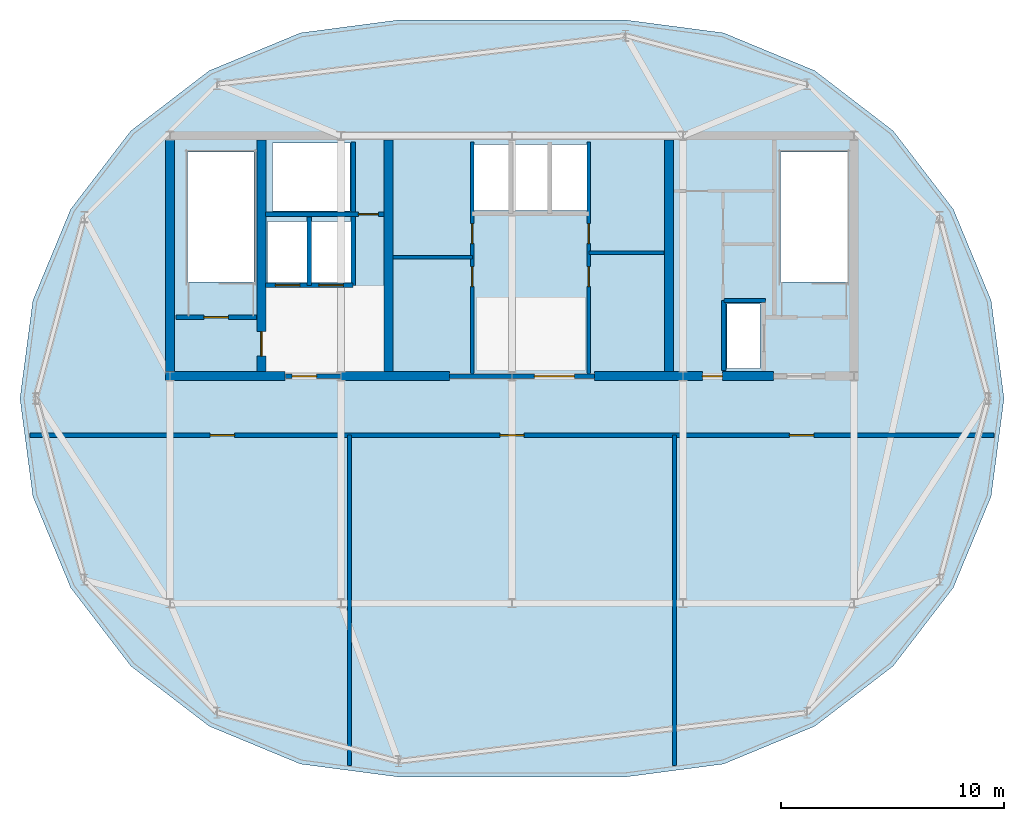
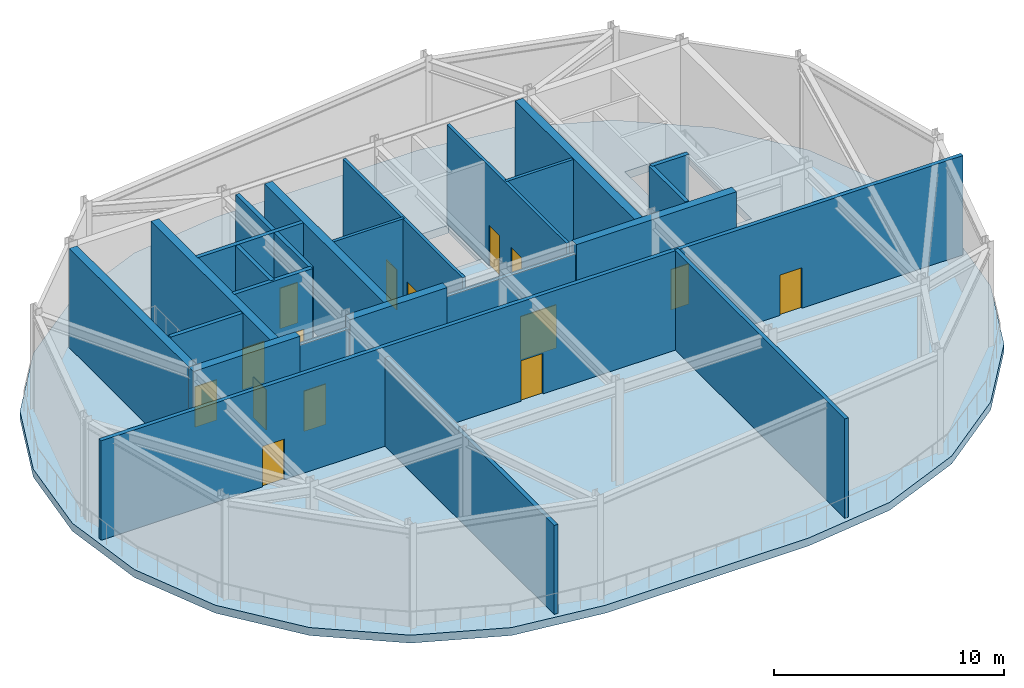
# One storey, part 2 of 5: 23 walls, 15 doors, 1 slab, 15 openings.
"""IFC4 building model written with IfcOpenShell, lengths in metres."""

from ifc_helpers import new_model, si_unit, direction, frame, frame_2d, origin, place, context, subcontext, project, spatial, polyline, rectangle, outline, extrude, material, layer, layer_set, type_object, element, fill, save


model = new_model("IFC4")

# Units and contexts
model_context = context("Model", 3, precision=1e-05, world=origin(), true_north=direction((0.0, 1.0)))
body_context = subcontext(model_context, "Body", "Model", "MODEL_VIEW")
ifc_project = project(units=[si_unit("LENGTHUNIT", "METRE"), si_unit("AREAUNIT", "SQUARE_METRE"), si_unit("VOLUMEUNIT", "CUBIC_METRE"), si_unit("PLANEANGLEUNIT", "RADIAN"), si_unit("MASSUNIT", "GRAM", prefix="KILO")], contexts=[model_context])

# Site, building, storey
site_placement = place(None, origin())
site = spatial("IfcSite", under=ifc_project, at=site_placement, CompositionType="ELEMENT")
building_placement = place(site_placement, origin())
building = spatial("IfcBuilding", under=site, at=building_placement, Name="Yelkora Congress Tower", CompositionType="ELEMENT")
storey_placement = place(building_placement, frame((0.0, 0.0, 304.39990234375)))
storey = spatial("IfcBuildingStorey", under=building, at=storey_placement, Name="L85", CompositionType="ELEMENT", Elevation=304.39990234375)

# Slab
ifc_material_1 = material(Name="Concrete C60/75", Category="concrete")
ifc_layer_1 = layer(ifc_material_1, 0.419921875)
ifc_layer_set_1 = layer_set([ifc_layer_1], Name="Concrete C60/75")
slab_type = type_object("IfcSlabType", Name="SLAB-XFER-420", PredefinedType="FLOOR", material=ifc_layer_set_1)
slab_placement = place(storey_placement, frame((0.0, 0.0, -0.419921875)))
element("IfcSlab", 1, at=slab_placement, inside=storey, type_object=slab_type, Name="L85 Structural Floor Slab", PredefinedType="FLOOR", context=body_context, shape_type="SweptSolid", body=[
    extrude(outline(polyline([(43.5, 17.39990234375), (47.89990234375, 17.979248046875), (52.0, 19.677490234375), (55.520751953125, 22.379150390625), (58.222412109375, 25.89990234375), (59.920654296875, 30.0), (60.5, 34.39990234375), (59.920654296875, 38.7998046875), (58.222412109375, 42.89990234375), (55.520751953125, 46.4208984375), (52.0, 49.122314453125), (47.89990234375, 50.82080078125), (43.5, 51.39990234375), (33.300048828125, 51.39990234375), (28.900146484375, 50.82080078125), (24.800048828125, 49.122314453125), (21.279296875, 46.4208984375), (18.57763671875, 42.89990234375), (16.87939453125, 38.7998046875), (16.300048828125, 34.39990234375), (16.87939453125, 30.0), (18.57763671875, 25.89990234375), (21.279296875, 22.379150390625), (24.800048828125, 19.677490234375), (28.900146484375, 17.979248046875), (33.300048828125, 17.39990234375), (43.5, 17.39990234375)]), holes=[polyline([(23.820068359375, 39.6298828125), (26.820068359375, 39.6298828125), (26.820068359375, 45.469970703125), (23.820068359375, 45.469970703125), (23.820068359375, 39.6298828125)]), polyline([(50.4599609375, 39.6298828125), (53.4599609375, 39.6298828125), (53.4599609375, 45.469970703125), (50.4599609375, 45.469970703125), (50.4599609375, 39.6298828125)]), polyline([(48.050048828125, 35.75), (49.550048828125, 35.75), (49.550048828125, 38.64990234375), (48.050048828125, 38.64990234375), (48.050048828125, 35.75)]), polyline([(36.64990234375, 42.85009765625), (41.800048828125, 42.85009765625), (41.800048828125, 45.800048828125), (36.64990234375, 45.800048828125), (36.64990234375, 42.85009765625)]), polyline([(27.419921875, 39.60009765625), (31.179931640625, 39.60009765625), (31.179931640625, 42.35009765625), (27.419921875, 42.35009765625), (27.419921875, 39.60009765625)]), polyline([(27.64990234375, 42.820068359375), (31.1201171875, 42.820068359375), (31.1201171875, 45.8798828125), (27.64990234375, 45.8798828125), (27.64990234375, 42.820068359375)])]), origin(), (0.0, 0.0, 1.0), 0.419921875),
])

# Walls
ifc_material_2 = material(Name="Concrete C50/60", Category="concrete")
ifc_layer_2 = layer(ifc_material_2, 0.39990234375)
ifc_layer_set_2 = layer_set([ifc_layer_2], Name="Concrete C50/60")
wall_type_1 = type_object("IfcWallType", Name="WALL-CORE-INT-400", PredefinedType="SHEAR", material=ifc_layer_set_2)
wall_1_placement = place(storey_placement, frame((22.840087890625, 35.39990234375, 0.0), z_axis=(0.0, 0.0, 1.0), x_axis=(1.0, 0.0, 0.0)))
element("IfcWall", 2, at=wall_1_placement, inside=storey, type_object=wall_type_1, Name="L85 Rear Core South-West Shear Wall", PredefinedType="SHEAR", context=body_context, shape_type="SweptSolid", body=[
    extrude(rectangle(XDim=5.35986328125, YDim=0.39990234375, at=frame_2d((2.679931640625, 0.0))), origin(), (0.0, 0.0, 1.0), 5.280029296875),
])
wall_2_placement = place(storey_placement, frame((30.719970703125, 35.39990234375, 0.0), z_axis=(0.0, 0.0, 1.0), x_axis=(1.0, 0.0, 0.0)))
element("IfcWall", 3, at=wall_2_placement, inside=storey, type_object=wall_type_1, Name="L85 Rear Core South-Center Shear Pier", PredefinedType="SHEAR", context=body_context, shape_type="SweptSolid", body=[
    extrude(rectangle(XDim=4.880126953125, YDim=0.39990234375, at=frame_2d((2.43994140625, 0.0))), origin(), (0.0, 0.0, 1.0), 5.280029296875),
])

# Wall, opening, door
wall_3_placement = place(storey_placement, frame((42.10009765625, 35.39990234375, 0.0), z_axis=(0.0, 0.0, 1.0), x_axis=(1.0, 0.0, 0.0)))
wall_3 = element("IfcWall", 4, at=wall_3_placement, inside=storey, type_object=wall_type_1, Name="L85 Rear Core South-East Shear Wall A", PredefinedType="SHEAR", context=body_context, shape_type="SweptSolid", body=[
    extrude(rectangle(XDim=8.0498046875, YDim=0.39990234375, at=frame_2d((4.02490234375, 0.0))), origin(), (0.0, 0.0, 1.0), 5.280029296875),
])
opening_1_placement = place(wall_3_placement, frame((4.85009765625, 0.0, 0.0)))
opening_1 = element("IfcOpeningElement", 5, at=opening_1_placement, cuts=wall_3, Name="Opening DR-090F6", PredefinedType="OPENING", context=body_context, shape_type="SweptSolid", body=[
    extrude(rectangle(XDim=0.89990234375, YDim=2.14990234375, at=frame_2d((0.449951171875, 1.074951171875))), frame((0.0, 0.2099609375, 0.0), z_axis=(0.0, -1.0, 0.0), x_axis=(1.0, 0.0, 0.0)), (0.0, 0.0, 1.0), 0.419921875),
])
ifc_material_3 = material(Name="Painted steel riser fire door leaf", Category="steel")
door_type_1 = type_object("IfcDoorType", Name="DOOR-FD60-900", OperationType="NOTDEFINED", PredefinedType="DOOR", material=ifc_material_3)
door_1_placement = place(opening_1_placement, origin())
door_1 = element("IfcDoor", 6, at=door_1_placement, inside=storey, type_object=door_type_1, Name="L85 Core Washroom Lobby Door", OperationType="SINGLE_SWING_RIGHT", OverallHeight=2.14990234375, OverallWidth=0.89990234375, PredefinedType="DOOR", context=body_context, shape_type="SweptSolid", body=[
    extrude(rectangle(XDim=0.89990234375, YDim=2.14990234375, at=frame_2d((0.449951171875, 1.074951171875))), frame((0.0, 0.02490234375, 0.0), z_axis=(0.0, -1.0, 0.0), x_axis=(1.0, 0.0, 0.0)), (0.0, 0.0, 1.0), 0.050048828125),
])
fill(opening_1, door_1)

# Wall
wall_4_placement = place(storey_placement, frame((23.0400390625, 35.60009765625, 0.0), z_axis=(0.0, 0.0, 1.0), x_axis=(0.0, 1.0, 0.0)))
element("IfcWall", 7, at=wall_4_placement, inside=storey, type_object=wall_type_1, Name="L85 Rear Core Cross Shear Wall W", PredefinedType="SHEAR", context=body_context, shape_type="SweptSolid", body=[
    extrude(rectangle(XDim=10.39990234375, YDim=0.39990234375, at=frame_2d((5.199951171875, 0.0))), origin(), (0.0, 0.0, 1.0), 5.280029296875),
])

# Wall, opening, door
wall_5_placement = place(storey_placement, frame((27.14990234375, 35.60009765625, 0.0), z_axis=(0.0, 0.0, 1.0), x_axis=(0.0, 1.0, 0.0)))
wall_5 = element("IfcWall", 8, at=wall_5_placement, inside=storey, type_object=wall_type_1, Name="L85 Rear Core Cross Shear Wall C1", PredefinedType="SHEAR", context=body_context, shape_type="SweptSolid", body=[
    extrude(rectangle(XDim=10.39990234375, YDim=0.39990234375, at=frame_2d((5.199951171875, 0.0))), origin(), (0.0, 0.0, 1.0), 5.280029296875),
])
opening_2_placement = place(wall_5_placement, frame((0.699951171875, 0.0, 0.0)))
opening_2 = element("IfcOpeningElement", 9, at=opening_2_placement, cuts=wall_5, Name="Opening DR-110F9", PredefinedType="OPENING", context=body_context, shape_type="SweptSolid", body=[
    extrude(rectangle(XDim=1.10009765625, YDim=2.14990234375, at=frame_2d((0.550048828125, 1.074951171875))), frame((0.0, 0.2099609375, 0.0), z_axis=(0.0, -1.0, 0.0), x_axis=(1.0, 0.0, 0.0)), (0.0, 0.0, 1.0), 0.419921875),
])
ifc_material_4 = material(Name="Galvanised steel fire door leaf", Category="steel")
door_type_2 = type_object("IfcDoorType", Name="DOOR-FD90-1100", OperationType="NOTDEFINED", PredefinedType="DOOR", material=ifc_material_4)
door_2_placement = place(opening_2_placement, origin())
door_2 = element("IfcDoor", 10, at=door_2_placement, inside=storey, type_object=door_type_2, Name="L85 Firefighting Stair Transfer Door", OperationType="SINGLE_SWING_LEFT", OverallHeight=2.14990234375, OverallWidth=1.10009765625, PredefinedType="DOOR", context=body_context, shape_type="SweptSolid", body=[
    extrude(rectangle(XDim=1.10009765625, YDim=2.14990234375, at=frame_2d((0.550048828125, 1.074951171875))), frame((0.0, 0.02490234375, 0.0), z_axis=(0.0, -1.0, 0.0), x_axis=(1.0, 0.0, 0.0)), (0.0, 0.0, 1.0), 0.050048828125),
])
fill(opening_2, door_2)

# Walls
for number, where, z_axis, x_axis, name in (
    (11, (32.85009765625, 35.60009765625, 0.0), (0.0, 0.0, 1.0), (0.0, 1.0, 0.0), "L85 Rear Core Cross Shear Wall C2"),
    (12, (45.449951171875, 35.60009765625, 0.0), (0.0, 0.0, 1.0), (0.0, 1.0, 0.0), "L85 Rear Core Cross Shear Wall C3"),
):
    element("IfcWall", number, at=place(storey_placement, frame(where, z_axis=z_axis, x_axis=x_axis)), inside=storey, type_object=wall_type_1, Name=name, PredefinedType="SHEAR", context=body_context, shape_type="SweptSolid", body=[
        extrude(rectangle(XDim=10.39990234375, YDim=0.39990234375, at=frame_2d((5.199951171875, 0.0))), origin(), (0.0, 0.0, 1.0), 5.280029296875),
    ])
ifc_material_5 = material(Name="Twin-stud fire-rated gypsum partition", Category="gypsum")
ifc_layer_3 = layer(ifc_material_5, 0.14990234375)
ifc_layer_set_3 = layer_set([ifc_layer_3], Name="Twin-stud fire-rated gypsum partition")
wall_type_2 = type_object("IfcWallType", Name="WALL-INT-150-R60", PredefinedType="PARTITIONING", material=ifc_layer_set_3)
wall_6_placement = place(storey_placement, frame((33.050048828125, 40.75, 0.0), z_axis=(0.0, 0.0, 1.0), x_axis=(1.0, 0.0, 0.0)))
element("IfcWall", 13, at=wall_6_placement, inside=storey, type_object=wall_type_2, Name="L85 Partition Wall 11", PredefinedType="PARTITIONING", context=body_context, shape_type="SweptSolid", body=[
    extrude(rectangle(XDim=3.570068359375, YDim=0.14990234375, at=frame_2d((1.78515625, 0.0))), origin(), (0.0, 0.0, 1.0), 5.280029296875),
])

# Wall, openings, doors
wall_7_placement = place(storey_placement, frame((36.6201171875, 35.5, 0.0), z_axis=(0.0, 0.0, 1.0), x_axis=(0.0, 1.0, 0.0)))
wall_7 = element("IfcWall", 14, at=wall_7_placement, inside=storey, type_object=wall_type_2, Name="L85 Partition Wall 12", PredefinedType="PARTITIONING", context=body_context, shape_type="SweptSolid", body=[
    extrude(rectangle(XDim=10.419921875, YDim=0.14990234375, at=frame_2d((5.2099609375, 0.0))), origin(), (0.0, 0.0, 1.0), 5.280029296875),
])
opening_3_placement = place(wall_7_placement, frame((3.919921875, 0.0, 0.0)))
opening_3 = element("IfcOpeningElement", 15, at=opening_3_placement, cuts=wall_7, Name="Opening DR-090F6", PredefinedType="OPENING", context=body_context, shape_type="SweptSolid", body=[
    extrude(rectangle(XDim=0.89990234375, YDim=2.14990234375, at=frame_2d((0.449951171875, 1.074951171875))), frame((0.0, 0.0849609375, 0.0), z_axis=(0.0, -1.0, 0.0), x_axis=(1.0, 0.0, 0.0)), (0.0, 0.0, 1.0), 0.169921875),
])
opening_4_placement = place(wall_7_placement, frame((5.85009765625, 0.0, 0.0)))
opening_4 = element("IfcOpeningElement", 16, at=opening_4_placement, cuts=wall_7, Name="Opening DR-090F6", PredefinedType="OPENING", context=body_context, shape_type="SweptSolid", body=[
    extrude(rectangle(XDim=0.89990234375, YDim=2.14990234375, at=frame_2d((0.449951171875, 1.074951171875))), frame((0.0, 0.0849609375, 0.0), z_axis=(0.0, -1.0, 0.0), x_axis=(1.0, 0.0, 0.0)), (0.0, 0.0, 1.0), 0.169921875),
])
door_3_placement = place(opening_3_placement, origin())
door_3 = element("IfcDoor", 17, at=door_3_placement, inside=storey, type_object=door_type_1, Name="L85 Telecom Store Door", OperationType="SINGLE_SWING_LEFT", OverallHeight=2.14990234375, OverallWidth=0.89990234375, PredefinedType="DOOR", context=body_context, shape_type="SweptSolid", body=[
    extrude(rectangle(XDim=0.89990234375, YDim=2.14990234375, at=frame_2d((0.449951171875, 1.074951171875))), frame((0.0, 0.02490234375, 0.0), z_axis=(0.0, -1.0, 0.0), x_axis=(1.0, 0.0, 0.0)), (0.0, 0.0, 1.0), 0.050048828125),
])
fill(opening_3, door_3)
door_4_placement = place(opening_4_placement, origin())
door_4 = element("IfcDoor", 18, at=door_4_placement, inside=storey, type_object=door_type_1, Name="L85 Archive Store Door", OperationType="SINGLE_SWING_RIGHT", OverallHeight=2.14990234375, OverallWidth=0.89990234375, PredefinedType="DOOR", context=body_context, shape_type="SweptSolid", body=[
    extrude(rectangle(XDim=0.89990234375, YDim=2.14990234375, at=frame_2d((0.449951171875, 1.074951171875))), frame((0.0, 0.02490234375, 0.0), z_axis=(0.0, -1.0, 0.0), x_axis=(1.0, 0.0, 0.0)), (0.0, 0.0, 1.0), 0.050048828125),
])
fill(opening_4, door_4)

# Wall
wall_8_placement = place(storey_placement, frame((41.85009765625, 40.949951171875, 0.0), z_axis=(0.0, 0.0, 1.0), x_axis=(1.0, 0.0, 0.0)))
element("IfcWall", 19, at=wall_8_placement, inside=storey, type_object=wall_type_2, Name="L85 Partition Wall 13", PredefinedType="PARTITIONING", context=body_context, shape_type="SweptSolid", body=[
    extrude(rectangle(XDim=3.369873046875, YDim=0.14990234375, at=frame_2d((1.68505859375, 0.0))), origin(), (0.0, 0.0, 1.0), 5.280029296875),
])

# Wall, openings, doors
wall_9_placement = place(storey_placement, frame((41.85009765625, 35.5, 0.0), z_axis=(0.0, 0.0, 1.0), x_axis=(0.0, 1.0, 0.0)))
wall_9 = element("IfcWall", 20, at=wall_9_placement, inside=storey, type_object=wall_type_2, Name="L85 Partition Wall 14", PredefinedType="PARTITIONING", context=body_context, shape_type="SweptSolid", body=[
    extrude(rectangle(XDim=10.419921875, YDim=0.14990234375, at=frame_2d((5.2099609375, 0.0))), origin(), (0.0, 0.0, 1.0), 5.280029296875),
])
opening_5_placement = place(wall_9_placement, frame((3.919921875, 0.0, 0.0)))
opening_5 = element("IfcOpeningElement", 21, at=opening_5_placement, cuts=wall_9, Name="Opening DR-090F6", PredefinedType="OPENING", context=body_context, shape_type="SweptSolid", body=[
    extrude(rectangle(XDim=0.89990234375, YDim=2.14990234375, at=frame_2d((0.449951171875, 1.074951171875))), frame((0.0, 0.0849609375, 0.0), z_axis=(0.0, -1.0, 0.0), x_axis=(1.0, 0.0, 0.0)), (0.0, 0.0, 1.0), 0.169921875),
])
opening_6_placement = place(wall_9_placement, frame((5.85009765625, 0.0, 0.0)))
opening_6 = element("IfcOpeningElement", 22, at=opening_6_placement, cuts=wall_9, Name="Opening DR-090F6", PredefinedType="OPENING", context=body_context, shape_type="SweptSolid", body=[
    extrude(rectangle(XDim=0.89990234375, YDim=2.14990234375, at=frame_2d((0.449951171875, 1.074951171875))), frame((0.0, 0.0849609375, 0.0), z_axis=(0.0, -1.0, 0.0), x_axis=(1.0, 0.0, 0.0)), (0.0, 0.0, 1.0), 0.169921875),
])
door_5_placement = place(opening_5_placement, origin())
door_5 = element("IfcDoor", 23, at=door_5_placement, inside=storey, type_object=door_type_1, Name="L85 High-Zone BMS Door", OperationType="SINGLE_SWING_LEFT", OverallHeight=2.14990234375, OverallWidth=0.89990234375, PredefinedType="DOOR", context=body_context, shape_type="SweptSolid", body=[
    extrude(rectangle(XDim=0.89990234375, YDim=2.14990234375, at=frame_2d((0.449951171875, 1.074951171875))), frame((0.0, 0.02490234375, 0.0), z_axis=(0.0, -1.0, 0.0), x_axis=(1.0, 0.0, 0.0)), (0.0, 0.0, 1.0), 0.050048828125),
])
fill(opening_5, door_5)
door_6_placement = place(opening_6_placement, origin())
door_6 = element("IfcDoor", 24, at=door_6_placement, inside=storey, type_object=door_type_1, Name="L85 Linen Store Door", OperationType="SINGLE_SWING_RIGHT", OverallHeight=2.14990234375, OverallWidth=0.89990234375, PredefinedType="DOOR", context=body_context, shape_type="SweptSolid", body=[
    extrude(rectangle(XDim=0.89990234375, YDim=2.14990234375, at=frame_2d((0.449951171875, 1.074951171875))), frame((0.0, 0.02490234375, 0.0), z_axis=(0.0, -1.0, 0.0), x_axis=(1.0, 0.0, 0.0)), (0.0, 0.0, 1.0), 0.050048828125),
])
fill(opening_6, door_6)

# Wall, opening, door
ifc_material_6 = material(Name="Autoclaved aerated concrete blockwork", Category="masonry")
ifc_layer_4 = layer(ifc_material_6, 0.199951171875)
ifc_layer_set_4 = layer_set([ifc_layer_4], Name="Autoclaved aerated concrete blockwork")
wall_type_3 = type_object("IfcWallType", Name="WALL-INT-200-R120", PredefinedType="PARTITIONING", material=ifc_layer_set_4)
wall_10_placement = place(storey_placement, frame((23.300048828125, 38.050048828125, 0.0), z_axis=(0.0, 0.0, 1.0), x_axis=(1.0, 0.0, 0.0)))
wall_10 = element("IfcWall", 25, at=wall_10_placement, inside=storey, type_object=wall_type_3, Name="L85 Stair ST-01 Enclosure Wall", PredefinedType="PARTITIONING", context=body_context, shape_type="SweptSolid", body=[
    extrude(rectangle(XDim=3.619873046875, YDim=0.199951171875, at=frame_2d((1.81005859375, 0.0))), origin(), (0.0, 0.0, 1.0), 5.280029296875),
])
opening_7_placement = place(wall_10_placement, frame((1.260009765625, 0.0, 0.0)))
opening_7 = element("IfcOpeningElement", 26, at=opening_7_placement, cuts=wall_10, Name="Opening DR-110F9", PredefinedType="OPENING", context=body_context, shape_type="SweptSolid", body=[
    extrude(rectangle(XDim=1.10009765625, YDim=2.14990234375, at=frame_2d((0.550048828125, 1.074951171875))), frame((0.0, 0.10986328125, 0.0), z_axis=(0.0, -1.0, 0.0), x_axis=(1.0, 0.0, 0.0)), (0.0, 0.0, 1.0), 0.219970703125),
])
door_7_placement = place(opening_7_placement, origin())
door_7 = element("IfcDoor", 27, at=door_7_placement, inside=storey, type_object=door_type_2, Name="L85 Stair ST-01 Entry Door", OperationType="SINGLE_SWING_LEFT", OverallHeight=2.14990234375, OverallWidth=1.10009765625, PredefinedType="DOOR", context=body_context, shape_type="SweptSolid", body=[
    extrude(rectangle(XDim=1.10009765625, YDim=2.14990234375, at=frame_2d((0.550048828125, 1.074951171875))), frame((0.0, 0.02490234375, 0.0), z_axis=(0.0, -1.0, 0.0), x_axis=(1.0, 0.0, 0.0)), (0.0, 0.0, 1.0), 0.050048828125),
])
fill(opening_7, door_7)

wall_11_placement = place(storey_placement, frame((28.219970703125, 35.39990234375, 0.0), z_axis=(0.0, 0.0, 1.0), x_axis=(1.0, 0.0, 0.0)))
wall_11 = element("IfcWall", 28, at=wall_11_placement, inside=storey, type_object=wall_type_3, Name="L85 Firefighting Lobby South Wall", PredefinedType="PARTITIONING", context=body_context, shape_type="SweptSolid", body=[
    extrude(rectangle(XDim=2.5, YDim=0.199951171875, at=frame_2d((1.25, 0.0))), origin(), (0.0, 0.0, 1.0), 4.72509765625),
])
opening_8_placement = place(wall_11_placement, frame((0.300048828125, 0.0, 0.0)))
opening_8 = element("IfcOpeningElement", 29, at=opening_8_placement, cuts=wall_11, Name="Opening DR-110F9", PredefinedType="OPENING", context=body_context, shape_type="SweptSolid", body=[
    extrude(rectangle(XDim=1.10009765625, YDim=2.14990234375, at=frame_2d((0.550048828125, 1.074951171875))), frame((0.0, 0.10986328125, 0.0), z_axis=(0.0, -1.0, 0.0), x_axis=(1.0, 0.0, 0.0)), (0.0, 0.0, 1.0), 0.219970703125),
])
door_8_placement = place(opening_8_placement, origin())
door_8 = element("IfcDoor", 30, at=door_8_placement, inside=storey, type_object=door_type_2, Name="L85 Firefighting Lobby Corridor Door", OperationType="SINGLE_SWING_RIGHT", OverallHeight=2.14990234375, OverallWidth=1.10009765625, PredefinedType="DOOR", context=body_context, shape_type="SweptSolid", body=[
    extrude(rectangle(XDim=1.10009765625, YDim=2.14990234375, at=frame_2d((0.550048828125, 1.074951171875))), frame((0.0, 0.02490234375, 0.0), z_axis=(0.0, -1.0, 0.0), x_axis=(1.0, 0.0, 0.0)), (0.0, 0.0, 1.0), 0.050048828125),
])
fill(opening_8, door_8)

# Wall, openings, doors
wall_12_placement = place(storey_placement, frame((27.320068359375, 39.47998046875, 0.0), z_axis=(0.0, 0.0, 1.0), x_axis=(1.0, 0.0, 0.0)))
wall_12 = element("IfcWall", 31, at=wall_12_placement, inside=storey, type_object=wall_type_3, Name="L85 Firefighting Lift Front Wall", PredefinedType="PARTITIONING", context=body_context, shape_type="SweptSolid", body=[
    extrude(rectangle(XDim=3.93994140625, YDim=0.199951171875, at=frame_2d((1.969970703125, 0.0))), origin(), (0.0, 0.0, 1.0), 5.280029296875),
])
opening_9_placement = place(wall_12_placement, frame((0.449951171875, 0.0, 0.0)))
opening_9 = element("IfcOpeningElement", 32, at=opening_9_placement, cuts=wall_12, Name="Opening LD-FF11", PredefinedType="OPENING", context=body_context, shape_type="SweptSolid", body=[
    extrude(rectangle(XDim=1.10009765625, YDim=2.199951171875, at=frame_2d((0.550048828125, 1.10009765625))), frame((0.0, 0.10986328125, 0.0), z_axis=(0.0, -1.0, 0.0), x_axis=(1.0, 0.0, 0.0)), (0.0, 0.0, 1.0), 0.219970703125),
])
opening_10_placement = place(wall_12_placement, frame((2.409912109375, 0.0, 0.0)))
opening_10 = element("IfcOpeningElement", 33, at=opening_10_placement, cuts=wall_12, Name="Opening LD-FF11", PredefinedType="OPENING", context=body_context, shape_type="SweptSolid", body=[
    extrude(rectangle(XDim=1.10009765625, YDim=2.199951171875, at=frame_2d((0.550048828125, 1.10009765625))), frame((0.0, 0.10986328125, 0.0), z_axis=(0.0, -1.0, 0.0), x_axis=(1.0, 0.0, 0.0)), (0.0, 0.0, 1.0), 0.219970703125),
])
ifc_material_7 = material(Name="Brushed stainless steel 316L landing door", Category="steel")
door_type_3 = type_object("IfcDoorType", Name="DOOR-LIFT-FF-1100", OperationType="DOUBLE_DOOR_SLIDING", PredefinedType="DOOR", material=ifc_material_7)
door_9_placement = place(opening_9_placement, origin())
door_9 = element("IfcDoor", 34, at=door_9_placement, inside=storey, type_object=door_type_3, Name="Lift Landing Door LF-FF1 L85", OperationType="DOUBLE_DOOR_SLIDING", OverallHeight=2.199951171875, OverallWidth=1.10009765625, PredefinedType="DOOR", context=body_context, shape_type="SweptSolid", body=[
    extrude(rectangle(XDim=1.10009765625, YDim=2.199951171875, at=frame_2d((0.550048828125, 1.10009765625))), frame((0.0, 0.02490234375, 0.0), z_axis=(0.0, -1.0, 0.0), x_axis=(1.0, 0.0, 0.0)), (0.0, 0.0, 1.0), 0.050048828125),
])
fill(opening_9, door_9)
door_10_placement = place(opening_10_placement, origin())
door_10 = element("IfcDoor", 35, at=door_10_placement, inside=storey, type_object=door_type_3, Name="Lift Landing Door LF-FF2 L85", OperationType="DOUBLE_DOOR_SLIDING", OverallHeight=2.199951171875, OverallWidth=1.10009765625, PredefinedType="DOOR", context=body_context, shape_type="SweptSolid", body=[
    extrude(rectangle(XDim=1.10009765625, YDim=2.199951171875, at=frame_2d((0.550048828125, 1.10009765625))), frame((0.0, 0.02490234375, 0.0), z_axis=(0.0, -1.0, 0.0), x_axis=(1.0, 0.0, 0.0)), (0.0, 0.0, 1.0), 0.050048828125),
])
fill(opening_10, door_10)

# Walls
wall_13_placement = place(storey_placement, frame((29.300048828125, 39.47998046875, 0.0), z_axis=(0.0, 0.0, 1.0), x_axis=(0.0, 1.0, 0.0)))
element("IfcWall", 36, at=wall_13_placement, inside=storey, type_object=wall_type_3, Name="L85 Partition Wall 4", PredefinedType="PARTITIONING", context=body_context, shape_type="SweptSolid", body=[
    extrude(rectangle(XDim=3.070068359375, YDim=0.199951171875, at=frame_2d((1.53515625, 0.0))), origin(), (0.0, 0.0, 1.0), 5.280029296875),
])
wall_14_placement = place(storey_placement, frame((31.260009765625, 39.47998046875, 0.0), z_axis=(0.0, 0.0, 1.0), x_axis=(0.0, 1.0, 0.0)))
element("IfcWall", 37, at=wall_14_placement, inside=storey, type_object=wall_type_3, Name="L85 Partition Wall 5", PredefinedType="PARTITIONING", context=body_context, shape_type="SweptSolid", body=[
    extrude(rectangle(XDim=6.43994140625, YDim=0.199951171875, at=frame_2d((3.219970703125, 0.0))), origin(), (0.0, 0.0, 1.0), 5.280029296875),
])

# Wall, opening, door
wall_15_placement = place(storey_placement, frame((27.320068359375, 42.679931640625, 0.0), z_axis=(0.0, 0.0, 1.0), x_axis=(1.0, 0.0, 0.0)))
wall_15 = element("IfcWall", 38, at=wall_15_placement, inside=storey, type_object=wall_type_3, Name="L85 Smoke Riser South Wall", PredefinedType="PARTITIONING", context=body_context, shape_type="SweptSolid", body=[
    extrude(rectangle(XDim=5.329833984375, YDim=0.199951171875, at=frame_2d((2.6650390625, 0.0))), origin(), (0.0, 0.0, 1.0), 5.280029296875),
])
opening_11_placement = place(wall_15_placement, frame((4.179931640625, 0.0, 0.0)))
opening_11 = element("IfcOpeningElement", 39, at=opening_11_placement, cuts=wall_15, Name="Opening DR-090F6", PredefinedType="OPENING", context=body_context, shape_type="SweptSolid", body=[
    extrude(rectangle(XDim=0.89990234375, YDim=2.14990234375, at=frame_2d((0.449951171875, 1.074951171875))), frame((0.0, 0.10986328125, 0.0), z_axis=(0.0, -1.0, 0.0), x_axis=(1.0, 0.0, 0.0)), (0.0, 0.0, 1.0), 0.219970703125),
])
door_11_placement = place(opening_11_placement, origin())
door_11 = element("IfcDoor", 40, at=door_11_placement, inside=storey, type_object=door_type_1, Name="L85 Riser Access Door", OperationType="SINGLE_SWING_LEFT", OverallHeight=2.14990234375, OverallWidth=0.89990234375, PredefinedType="DOOR", context=body_context, shape_type="SweptSolid", body=[
    extrude(rectangle(XDim=0.89990234375, YDim=2.14990234375, at=frame_2d((0.449951171875, 1.074951171875))), frame((0.0, 0.02490234375, 0.0), z_axis=(0.0, -1.0, 0.0), x_axis=(1.0, 0.0, 0.0)), (0.0, 0.0, 1.0), 0.050048828125),
])
fill(opening_11, door_11)

wall_16_placement = place(storey_placement, frame((35.60009765625, 35.39990234375, 0.0), z_axis=(0.0, 0.0, 1.0), x_axis=(1.0, 0.0, 0.0)))
wall_16 = element("IfcWall", 41, at=wall_16_placement, inside=storey, type_object=wall_type_3, Name="L85 Main Lift Lobby South Portal Wall", PredefinedType="PARTITIONING", context=body_context, shape_type="SweptSolid", body=[
    extrude(rectangle(XDim=6.5, YDim=0.199951171875, at=frame_2d((3.25, 0.0))), origin(), (0.0, 0.0, 1.0), 4.72509765625),
])
opening_12_placement = place(wall_16_placement, frame((3.800048828125, 0.0, 0.0)))
opening_12 = element("IfcOpeningElement", 42, at=opening_12_placement, cuts=wall_16, Name="Opening DR-180D", PredefinedType="OPENING", context=body_context, shape_type="SweptSolid", body=[
    extrude(rectangle(XDim=1.800048828125, YDim=2.300048828125, at=frame_2d((0.89990234375, 1.14990234375))), frame((0.0, 0.10986328125, 0.0), z_axis=(0.0, -1.0, 0.0), x_axis=(1.0, 0.0, 0.0)), (0.0, 0.0, 1.0), 0.219970703125),
])
ifc_material_8 = material(Name="Acoustic double congress hall doors", Category="wood")
door_type_4 = type_object("IfcDoorType", Name="DOOR-DBL-1800", OperationType="DOUBLE_DOOR_SINGLE_SWING", PredefinedType="DOOR", material=ifc_material_8)
door_12_placement = place(opening_12_placement, origin())
door_12 = element("IfcDoor", 43, at=door_12_placement, inside=storey, type_object=door_type_4, Name="L85 Main Lift Lobby Portal Door", OperationType="DOUBLE_DOOR_SINGLE_SWING", OverallHeight=2.300048828125, OverallWidth=1.800048828125, PredefinedType="DOOR", context=body_context, shape_type="SweptSolid", body=[
    extrude(rectangle(XDim=1.800048828125, YDim=2.300048828125, at=frame_2d((0.89990234375, 1.14990234375))), frame((0.0, 0.02490234375, 0.0), z_axis=(0.0, -1.0, 0.0), x_axis=(1.0, 0.0, 0.0)), (0.0, 0.0, 1.0), 0.050048828125),
])
fill(opening_12, door_12)

# Walls
wall_17_placement = place(storey_placement, frame((47.919921875, 35.64990234375, 0.0), z_axis=(0.0, 0.0, 1.0), x_axis=(0.0, 1.0, 0.0)))
element("IfcWall", 44, at=wall_17_placement, inside=storey, type_object=wall_type_3, Name="L85 Partition Wall 18", PredefinedType="PARTITIONING", context=body_context, shape_type="SweptSolid", body=[
    extrude(rectangle(XDim=3.150146484375, YDim=0.199951171875, at=frame_2d((1.5751953125, 0.0))), origin(), (0.0, 0.0, 1.0), 5.280029296875),
])
wall_18_placement = place(storey_placement, frame((47.919921875, 38.800048828125, 0.0), z_axis=(0.0, 0.0, 1.0), x_axis=(1.0, 0.0, 0.0)))
element("IfcWall", 45, at=wall_18_placement, inside=storey, type_object=wall_type_3, Name="L85 Partition Wall 19", PredefinedType="PARTITIONING", context=body_context, shape_type="SweptSolid", body=[
    extrude(rectangle(XDim=1.860107421875, YDim=0.199951171875, at=frame_2d((0.93017578125, 0.0))), origin(), (0.0, 0.0, 1.0), 5.280029296875),
])
wall_19_placement = place(storey_placement, frame((31.10009765625, 17.91162109375, 0.0), z_axis=(0.0, 0.0, 1.0), x_axis=(0.0, 1.0, 0.0)))
element("IfcWall", 46, at=wall_19_placement, inside=storey, type_object=wall_type_3, Name="L85 Partition Wall 23", PredefinedType="PARTITIONING", context=body_context, shape_type="SweptSolid", body=[
    extrude(rectangle(XDim=14.83837890625, YDim=0.199951171875, at=frame_2d((7.419189453125, 0.0))), origin(), (0.0, 0.0, 1.0), 4.72509765625),
])
wall_20_placement = place(storey_placement, frame((45.699951171875, 17.91162109375, 0.0), z_axis=(0.0, 0.0, 1.0), x_axis=(0.0, 1.0, 0.0)))
element("IfcWall", 47, at=wall_20_placement, inside=storey, type_object=wall_type_3, Name="L85 Partition Wall 24", PredefinedType="PARTITIONING", context=body_context, shape_type="SweptSolid", body=[
    extrude(rectangle(XDim=14.83837890625, YDim=0.199951171875, at=frame_2d((7.419189453125, 0.0))), origin(), (0.0, 0.0, 1.0), 5.280029296875),
])

# Wall, openings, doors
wall_21_placement = place(storey_placement, frame((16.739013671875, 32.75, 0.0), z_axis=(0.0, 0.0, 1.0), x_axis=(1.0, 0.0, 0.0)))
wall_21 = element("IfcWall", 48, at=wall_21_placement, inside=storey, type_object=wall_type_3, Name="L85 Partition Wall 25", PredefinedType="PARTITIONING", context=body_context, shape_type="SweptSolid", body=[
    extrude(rectangle(XDim=43.32177734375, YDim=0.199951171875, at=frame_2d((21.660888671875, 0.0))), origin(), (0.0, 0.0, 1.0), 5.280029296875),
])
opening_13_placement = place(wall_21_placement, frame((8.10400390625, 0.0, 0.0)))
opening_13 = element("IfcOpeningElement", 49, at=opening_13_placement, cuts=wall_21, Name="Opening DR-110F9", PredefinedType="OPENING", context=body_context, shape_type="SweptSolid", body=[
    extrude(rectangle(XDim=1.10009765625, YDim=2.14990234375, at=frame_2d((0.550048828125, 1.074951171875))), frame((0.0, 0.10986328125, 0.0), z_axis=(0.0, -1.0, 0.0), x_axis=(1.0, 0.0, 0.0)), (0.0, 0.0, 1.0), 0.219970703125),
])
opening_14_placement = place(wall_21_placement, frame((21.11083984375, 0.0, 0.0)))
opening_14 = element("IfcOpeningElement", 50, at=opening_14_placement, cuts=wall_21, Name="Opening DR-110F9", PredefinedType="OPENING", context=body_context, shape_type="SweptSolid", body=[
    extrude(rectangle(XDim=1.10009765625, YDim=2.14990234375, at=frame_2d((0.550048828125, 1.074951171875))), frame((0.0, 0.10986328125, 0.0), z_axis=(0.0, -1.0, 0.0), x_axis=(1.0, 0.0, 0.0)), (0.0, 0.0, 1.0), 0.219970703125),
])
opening_15_placement = place(wall_21_placement, frame((34.11767578125, 0.0, 0.0)))
opening_15 = element("IfcOpeningElement", 51, at=opening_15_placement, cuts=wall_21, Name="Opening DR-110F9", PredefinedType="OPENING", context=body_context, shape_type="SweptSolid", body=[
    extrude(rectangle(XDim=1.10009765625, YDim=2.14990234375, at=frame_2d((0.550048828125, 1.074951171875))), frame((0.0, 0.10986328125, 0.0), z_axis=(0.0, -1.0, 0.0), x_axis=(1.0, 0.0, 0.0)), (0.0, 0.0, 1.0), 0.219970703125),
])
door_13_placement = place(opening_13_placement, origin())
door_13 = element("IfcDoor", 52, at=door_13_placement, inside=storey, type_object=door_type_2, Name="L85 Interior Door 17", OperationType="SINGLE_SWING_LEFT", OverallHeight=2.14990234375, OverallWidth=1.10009765625, PredefinedType="DOOR", context=body_context, shape_type="SweptSolid", body=[
    extrude(rectangle(XDim=1.10009765625, YDim=2.14990234375, at=frame_2d((0.550048828125, 1.074951171875))), frame((0.0, 0.02490234375, 0.0), z_axis=(0.0, -1.0, 0.0), x_axis=(1.0, 0.0, 0.0)), (0.0, 0.0, 1.0), 0.050048828125),
])
fill(opening_13, door_13)
door_14_placement = place(opening_14_placement, origin())
door_14 = element("IfcDoor", 53, at=door_14_placement, inside=storey, type_object=door_type_2, Name="L85 Interior Door 18", OperationType="SINGLE_SWING_RIGHT", OverallHeight=2.14990234375, OverallWidth=1.10009765625, PredefinedType="DOOR", context=body_context, shape_type="SweptSolid", body=[
    extrude(rectangle(XDim=1.10009765625, YDim=2.14990234375, at=frame_2d((0.550048828125, 1.074951171875))), frame((0.0, 0.02490234375, 0.0), z_axis=(0.0, -1.0, 0.0), x_axis=(1.0, 0.0, 0.0)), (0.0, 0.0, 1.0), 0.050048828125),
])
fill(opening_14, door_14)
door_15_placement = place(opening_15_placement, origin())
door_15 = element("IfcDoor", 54, at=door_15_placement, inside=storey, type_object=door_type_2, Name="L85 Interior Door 19", OperationType="SINGLE_SWING_LEFT", OverallHeight=2.14990234375, OverallWidth=1.10009765625, PredefinedType="DOOR", context=body_context, shape_type="SweptSolid", body=[
    extrude(rectangle(XDim=1.10009765625, YDim=2.14990234375, at=frame_2d((0.550048828125, 1.074951171875))), frame((0.0, 0.02490234375, 0.0), z_axis=(0.0, -1.0, 0.0), x_axis=(1.0, 0.0, 0.0)), (0.0, 0.0, 1.0), 0.050048828125),
])
fill(opening_15, door_15)

save(model, "model.ifc")
